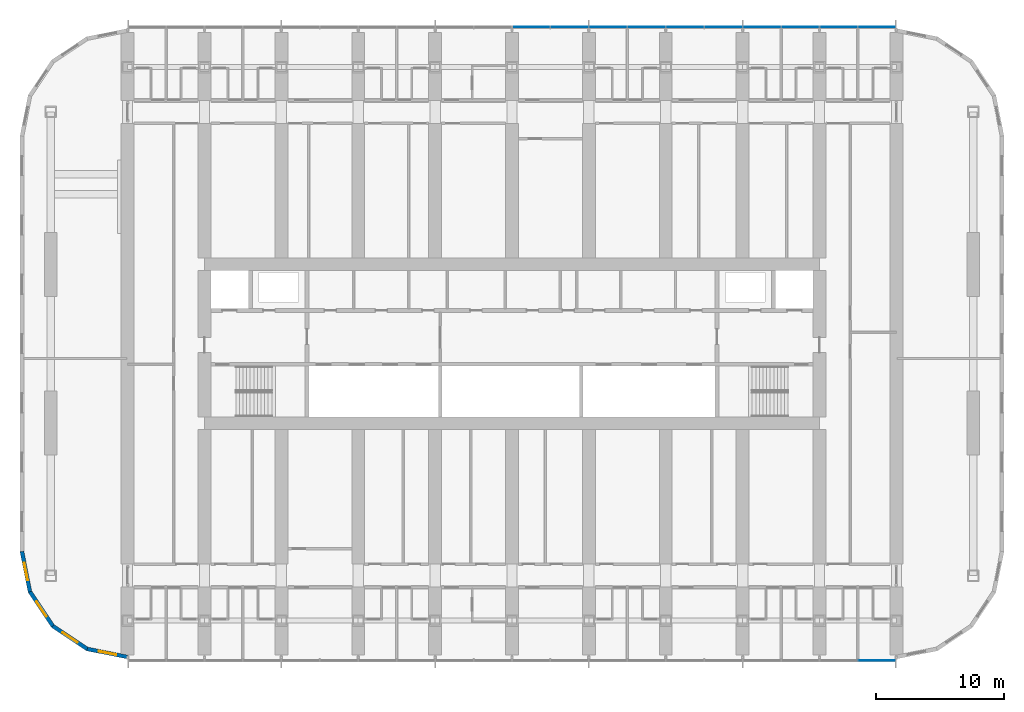
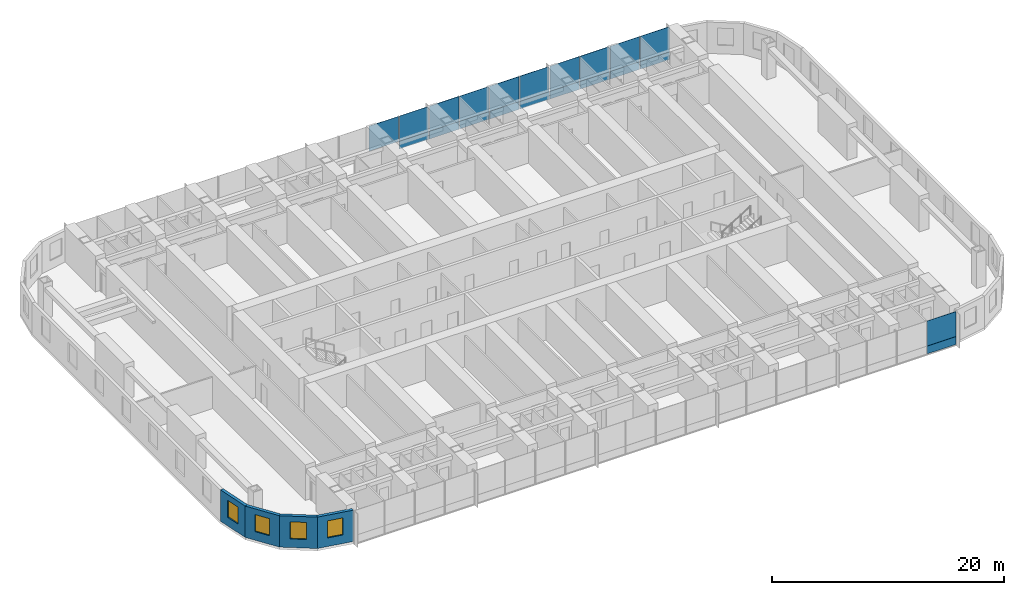
# One storey, part 9 of 24: 21 plates, 4 walls, 4 windows, 4 openings, 2 elements without a shape of their own.
"""IFC4 building model written with IfcOpenShell, lengths in metres."""

from ifc_helpers import new_model, si_unit, direction, frame, frame_2d, origin, origin_2d, place, context, subcontext, project, spatial, polyline, rectangle, outline, extrude, material, layer, layer_set, type_object, element, fill, aggregate, save


model = new_model("IFC4")

# Units and contexts
model_context = context("Model", 3, precision=1e-05, world=origin(), true_north=direction((0.0, 1.0)))
body_context = subcontext(model_context, "Body", "Model", "MODEL_VIEW")
ifc_project = project(units=[si_unit("LENGTHUNIT", "METRE"), si_unit("AREAUNIT", "SQUARE_METRE"), si_unit("VOLUMEUNIT", "CUBIC_METRE"), si_unit("PLANEANGLEUNIT", "RADIAN"), si_unit("MASSUNIT", "GRAM", prefix="KILO")], contexts=[model_context])

# Site, building, storey
site_placement = place(None, origin())
site = spatial("IfcSite", under=ifc_project, at=site_placement, CompositionType="ELEMENT")
building_placement = place(site_placement, origin())
building = spatial("IfcBuilding", under=site, at=building_placement, Name="Orbita Commons", CompositionType="ELEMENT")
storey_placement = place(building_placement, frame((0.0, 0.0, 20.199951171875)))
storey = spatial("IfcBuildingStorey", under=building, at=storey_placement, Name="L04", CompositionType="ELEMENT", Elevation=20.199951171875)

# Curtain wall, plate
ifc_material_1 = material(Name="Anodised aluminium frame, pale silver", Category="aluminium")
curtain_wall_type = type_object("IfcCurtainWallType", Name="Unitised curtain wall CW-T, vision and spandrel", PredefinedType="NOTDEFINED", material=ifc_material_1)
curtain_wall_1_placement = place(storey_placement, origin())
curtain_wall_1 = element("IfcCurtainWall", 1, at=curtain_wall_1_placement, inside=storey, type_object=curtain_wall_type, Name="Curtain wall south L04", PredefinedType="NOTDEFINED")
ifc_material_2 = material(Name="Anodised aluminium sheet on mineral wool", Category="aluminium")
ifc_layer_1 = layer(ifc_material_2, 0.050048828125)
ifc_layer_set_1 = layer_set([ifc_layer_1], Name="Anodised aluminium sheet on mineral wool")
plate_type_1 = type_object("IfcPlateType", Name="Spandrel panel, pale aluminium over insulation 50", PredefinedType="CURTAIN_PANEL", material=ifc_layer_set_1)
plate_1_placement = place(storey_placement, frame((70.47998046875, 7.2900390625, -0.14990234375), z_axis=(0.0, 0.0, 1.0), x_axis=(1.0, 0.0, 0.0)))
plate_1 = element("IfcPlate", 2, at=plate_1_placement, type_object=plate_type_1, Name="Panel 20.1 CW-L04-S", PredefinedType="CURTAIN_PANEL", context=body_context, shape_type="SweptSolid", body=[
    extrude(rectangle(XDim=2.8798828125, YDim=0.050048828125, at=origin_2d()), origin(), (0.0, 0.0, 1.0), 0.822998046875),
])

# Curtain wall, plates
curtain_wall_2_placement = place(storey_placement, origin())
curtain_wall_2 = element("IfcCurtainWall", 3, at=curtain_wall_2_placement, inside=storey, type_object=curtain_wall_type, Name="Curtain wall north L04", PredefinedType="NOTDEFINED")
plate_2_placement = place(storey_placement, frame((70.47998046875, 56.7099609375, -0.14990234375), z_axis=(0.0, 0.0, 1.0), x_axis=(-1.0, 0.0, 0.0)))
plate_2 = element("IfcPlate", 4, at=plate_2_placement, type_object=plate_type_1, Name="Panel 1.1 CW-L04-N", PredefinedType="CURTAIN_PANEL", context=body_context, shape_type="SweptSolid", body=[
    extrude(rectangle(XDim=2.8798828125, YDim=0.050048828125, at=origin_2d()), origin(), (0.0, 0.0, 1.0), 0.822998046875),
])
plate_3_placement = place(storey_placement, frame((67.5, 56.7099609375, -0.14990234375), z_axis=(0.0, 0.0, 1.0), x_axis=(-1.0, 0.0, 0.0)))
plate_3 = element("IfcPlate", 5, at=plate_3_placement, type_object=plate_type_1, Name="Panel 2.1 CW-L04-N", PredefinedType="CURTAIN_PANEL", context=body_context, shape_type="SweptSolid", body=[
    extrude(rectangle(XDim=2.919921875, YDim=0.050048828125, at=origin_2d()), origin(), (0.0, 0.0, 1.0), 0.822998046875),
])
plate_4_placement = place(storey_placement, frame((64.5, 56.7099609375, -0.14990234375), z_axis=(0.0, 0.0, 1.0), x_axis=(-1.0, 0.0, 0.0)))
plate_4 = element("IfcPlate", 6, at=plate_4_placement, type_object=plate_type_1, Name="Panel 3.1 CW-L04-N", PredefinedType="CURTAIN_PANEL", context=body_context, shape_type="SweptSolid", body=[
    extrude(rectangle(XDim=2.919921875, YDim=0.050048828125, at=origin_2d()), origin(), (0.0, 0.0, 1.0), 0.822998046875),
])
plate_5_placement = place(storey_placement, frame((61.5, 56.7099609375, -0.14990234375), z_axis=(0.0, 0.0, 1.0), x_axis=(-1.0, 0.0, 0.0)))
plate_5 = element("IfcPlate", 7, at=plate_5_placement, type_object=plate_type_1, Name="Panel 4.1 CW-L04-N", PredefinedType="CURTAIN_PANEL", context=body_context, shape_type="SweptSolid", body=[
    extrude(rectangle(XDim=2.919921875, YDim=0.050048828125, at=origin_2d()), origin(), (0.0, 0.0, 1.0), 0.822998046875),
])
plate_6_placement = place(storey_placement, frame((58.5, 56.7099609375, -0.14990234375), z_axis=(0.0, 0.0, 1.0), x_axis=(-1.0, 0.0, 0.0)))
plate_6 = element("IfcPlate", 8, at=plate_6_placement, type_object=plate_type_1, Name="Panel 5.1 CW-L04-N", PredefinedType="CURTAIN_PANEL", context=body_context, shape_type="SweptSolid", body=[
    extrude(rectangle(XDim=2.919921875, YDim=0.050048828125, at=origin_2d()), origin(), (0.0, 0.0, 1.0), 0.822998046875),
])
plate_7_placement = place(storey_placement, frame((55.5, 56.7099609375, -0.14990234375), z_axis=(0.0, 0.0, 1.0), x_axis=(-1.0, 0.0, 0.0)))
plate_7 = element("IfcPlate", 9, at=plate_7_placement, type_object=plate_type_1, Name="Panel 6.1 CW-L04-N", PredefinedType="CURTAIN_PANEL", context=body_context, shape_type="SweptSolid", body=[
    extrude(rectangle(XDim=2.919921875, YDim=0.050048828125, at=origin_2d()), origin(), (0.0, 0.0, 1.0), 0.822998046875),
])
plate_8_placement = place(storey_placement, frame((52.5, 56.7099609375, -0.14990234375), z_axis=(0.0, 0.0, 1.0), x_axis=(-1.0, 0.0, 0.0)))
plate_8 = element("IfcPlate", 10, at=plate_8_placement, type_object=plate_type_1, Name="Panel 7.1 CW-L04-N", PredefinedType="CURTAIN_PANEL", context=body_context, shape_type="SweptSolid", body=[
    extrude(rectangle(XDim=2.919921875, YDim=0.050048828125, at=origin_2d()), origin(), (0.0, 0.0, 1.0), 0.822998046875),
])
plate_9_placement = place(storey_placement, frame((49.5, 56.7099609375, -0.14990234375), z_axis=(0.0, 0.0, 1.0), x_axis=(-1.0, 0.0, 0.0)))
plate_9 = element("IfcPlate", 11, at=plate_9_placement, type_object=plate_type_1, Name="Panel 8.1 CW-L04-N", PredefinedType="CURTAIN_PANEL", context=body_context, shape_type="SweptSolid", body=[
    extrude(rectangle(XDim=2.919921875, YDim=0.050048828125, at=origin_2d()), origin(), (0.0, 0.0, 1.0), 0.822998046875),
])
plate_10_placement = place(storey_placement, frame((46.5, 56.7099609375, -0.14990234375), z_axis=(0.0, 0.0, 1.0), x_axis=(-1.0, 0.0, 0.0)))
plate_10 = element("IfcPlate", 12, at=plate_10_placement, type_object=plate_type_1, Name="Panel 9.1 CW-L04-N", PredefinedType="CURTAIN_PANEL", context=body_context, shape_type="SweptSolid", body=[
    extrude(rectangle(XDim=2.919921875, YDim=0.050048828125, at=origin_2d()), origin(), (0.0, 0.0, 1.0), 0.822998046875),
])

# Plate
ifc_material_3 = material(Name="Clear double glazing", Category="glass")
ifc_layer_2 = layer(ifc_material_3, 0.031982421875)
ifc_layer_set_2 = layer_set([ifc_layer_2], Name="Clear double glazing")
plate_type_2 = type_object("IfcPlateType", Name="Vision panel, clear double glazing 32", PredefinedType="CURTAIN_PANEL", material=ifc_layer_set_2)
plate_11_placement = place(storey_placement, frame((70.47998046875, 7.2900390625, 0.673095703125), z_axis=(0.0, 0.0, 1.0), x_axis=(1.0, 0.0, 0.0)))
plate_11 = element("IfcPlate", 13, at=plate_11_placement, type_object=plate_type_2, Name="Panel 20.2 CW-L04-S", PredefinedType="CURTAIN_PANEL", context=body_context, shape_type="SweptSolid", body=[
    extrude(rectangle(XDim=2.8798828125, YDim=0.031982421875, at=origin_2d()), origin(), (0.0, 0.0, 1.0), 2.626953125),
])

aggregate(curtain_wall_1, [plate_1, plate_11])

plate_12_placement = place(storey_placement, frame((70.47998046875, 56.7099609375, 0.673095703125), z_axis=(0.0, 0.0, 1.0), x_axis=(-1.0, 0.0, 0.0)))
plate_12 = element("IfcPlate", 14, at=plate_12_placement, type_object=plate_type_2, Name="Panel 1.2 CW-L04-N", PredefinedType="CURTAIN_PANEL", context=body_context, shape_type="SweptSolid", body=[
    extrude(rectangle(XDim=2.8798828125, YDim=0.031982421875, at=origin_2d()), origin(), (0.0, 0.0, 1.0), 2.626953125),
])

plate_13_placement = place(storey_placement, frame((67.5, 56.7099609375, 0.673095703125), z_axis=(0.0, 0.0, 1.0), x_axis=(-1.0, 0.0, 0.0)))
plate_13 = element("IfcPlate", 15, at=plate_13_placement, type_object=plate_type_2, Name="Panel 2.2 CW-L04-N", PredefinedType="CURTAIN_PANEL", context=body_context, shape_type="SweptSolid", body=[
    extrude(rectangle(XDim=2.919921875, YDim=0.031982421875, at=origin_2d()), origin(), (0.0, 0.0, 1.0), 2.626953125),
])

plate_14_placement = place(storey_placement, frame((64.5, 56.7099609375, 0.673095703125), z_axis=(0.0, 0.0, 1.0), x_axis=(-1.0, 0.0, 0.0)))
plate_14 = element("IfcPlate", 16, at=plate_14_placement, type_object=plate_type_2, Name="Panel 3.2 CW-L04-N", PredefinedType="CURTAIN_PANEL", context=body_context, shape_type="SweptSolid", body=[
    extrude(rectangle(XDim=2.919921875, YDim=0.031982421875, at=origin_2d()), origin(), (0.0, 0.0, 1.0), 2.626953125),
])

plate_15_placement = place(storey_placement, frame((61.5, 56.7099609375, 0.673095703125), z_axis=(0.0, 0.0, 1.0), x_axis=(-1.0, 0.0, 0.0)))
plate_15 = element("IfcPlate", 17, at=plate_15_placement, type_object=plate_type_2, Name="Panel 4.2 CW-L04-N", PredefinedType="CURTAIN_PANEL", context=body_context, shape_type="SweptSolid", body=[
    extrude(rectangle(XDim=2.919921875, YDim=0.031982421875, at=origin_2d()), origin(), (0.0, 0.0, 1.0), 2.626953125),
])

plate_16_placement = place(storey_placement, frame((58.5, 56.7099609375, 0.673095703125), z_axis=(0.0, 0.0, 1.0), x_axis=(-1.0, 0.0, 0.0)))
plate_16 = element("IfcPlate", 18, at=plate_16_placement, type_object=plate_type_2, Name="Panel 5.2 CW-L04-N", PredefinedType="CURTAIN_PANEL", context=body_context, shape_type="SweptSolid", body=[
    extrude(rectangle(XDim=2.919921875, YDim=0.031982421875, at=origin_2d()), origin(), (0.0, 0.0, 1.0), 2.626953125),
])

plate_17_placement = place(storey_placement, frame((55.5, 56.7099609375, 0.673095703125), z_axis=(0.0, 0.0, 1.0), x_axis=(-1.0, 0.0, 0.0)))
plate_17 = element("IfcPlate", 19, at=plate_17_placement, type_object=plate_type_2, Name="Panel 6.2 CW-L04-N", PredefinedType="CURTAIN_PANEL", context=body_context, shape_type="SweptSolid", body=[
    extrude(rectangle(XDim=2.919921875, YDim=0.031982421875, at=origin_2d()), origin(), (0.0, 0.0, 1.0), 2.626953125),
])

plate_18_placement = place(storey_placement, frame((52.5, 56.7099609375, 0.673095703125), z_axis=(0.0, 0.0, 1.0), x_axis=(-1.0, 0.0, 0.0)))
plate_18 = element("IfcPlate", 20, at=plate_18_placement, type_object=plate_type_2, Name="Panel 7.2 CW-L04-N", PredefinedType="CURTAIN_PANEL", context=body_context, shape_type="SweptSolid", body=[
    extrude(rectangle(XDim=2.919921875, YDim=0.031982421875, at=origin_2d()), origin(), (0.0, 0.0, 1.0), 2.626953125),
])

plate_19_placement = place(storey_placement, frame((49.5, 56.7099609375, 0.673095703125), z_axis=(0.0, 0.0, 1.0), x_axis=(-1.0, 0.0, 0.0)))
plate_19 = element("IfcPlate", 21, at=plate_19_placement, type_object=plate_type_2, Name="Panel 8.2 CW-L04-N", PredefinedType="CURTAIN_PANEL", context=body_context, shape_type="SweptSolid", body=[
    extrude(rectangle(XDim=2.919921875, YDim=0.031982421875, at=origin_2d()), origin(), (0.0, 0.0, 1.0), 2.626953125),
])

plate_20_placement = place(storey_placement, frame((46.5, 56.7099609375, 0.673095703125), z_axis=(0.0, 0.0, 1.0), x_axis=(-1.0, 0.0, 0.0)))
plate_20 = element("IfcPlate", 22, at=plate_20_placement, type_object=plate_type_2, Name="Panel 9.2 CW-L04-N", PredefinedType="CURTAIN_PANEL", context=body_context, shape_type="SweptSolid", body=[
    extrude(rectangle(XDim=2.919921875, YDim=0.031982421875, at=origin_2d()), origin(), (0.0, 0.0, 1.0), 2.626953125),
])

plate_21_placement = place(storey_placement, frame((43.5, 56.7099609375, 0.673095703125), z_axis=(0.0, 0.0, 1.0), x_axis=(-1.0, 0.0, 0.0)))
plate_21 = element("IfcPlate", 23, at=plate_21_placement, type_object=plate_type_2, Name="Panel 10.2 CW-L04-N", PredefinedType="CURTAIN_PANEL", context=body_context, shape_type="SweptSolid", body=[
    extrude(rectangle(XDim=2.919921875, YDim=0.031982421875, at=origin_2d()), origin(), (0.0, 0.0, 1.0), 2.626953125),
])

aggregate(curtain_wall_2, [plate_2, plate_12, plate_3, plate_13, plate_4, plate_14, plate_5, plate_15, plate_6, plate_16, plate_7, plate_17, plate_8, plate_18, plate_9, plate_19, plate_10, plate_20, plate_21])

# Wall, opening, window
ifc_material_4 = material(Name="Precast concrete C40/50, white board-marked finish", Category="concrete")
ifc_layer_3 = layer(ifc_material_4, 0.300048828125)
ifc_layer_set_3 = layer_set([ifc_layer_3], Name="Precast concrete C40/50, white board-marked finish")
wall_type = type_object("IfcWallType", Name="Precast concrete end shield 300", PredefinedType="SOLIDWALL", material=ifc_layer_set_3)
wall_1_placement = place(storey_placement, frame((3.75, 15.800048828125, 0.0), z_axis=(0.0, 0.0, 1.0), x_axis=(0.195065901187, -0.980790137692, 0.0)))
wall_1 = element("IfcWall", 24, at=wall_1_placement, inside=storey, type_object=wall_type, Name="End shield SW chord 1 L04", PredefinedType="SOLIDWALL", context=body_context, shape_type="SweptSolid", body=[
    extrude(outline(polyline([(-0.014892578125, -0.14990234375), (3.248779296875, -0.14990234375), (3.189208984375, 0.14990234375), (0.014892578125, 0.14990234375), (-0.014892578125, -0.14990234375)])), origin(), (0.0, 0.0, 1.0), 3.300048828125),
])
opening_1_placement = place(wall_1_placement, frame((0.909423828125, 0.0, 0.89990234375)))
opening_1 = element("IfcOpeningElement", 25, at=opening_1_placement, cuts=wall_1, Name="Opening W02", PredefinedType="OPENING", context=body_context, shape_type="SweptSolid", body=[
    extrude(rectangle(XDim=1.39990234375, YDim=1.800048828125, at=frame_2d((0.699951171875, 0.89990234375))), frame((0.0, 0.159912109375, 0.0), z_axis=(0.0, -1.0, 0.0), x_axis=(1.0, 0.0, 0.0)), (0.0, 0.0, 1.0), 0.320068359375),
])
ifc_material_5 = material(Name="Aluminium frame, clear double glazing", Category="aluminium")
window_type = type_object("IfcWindowType", Name="Deep-set window 1400x1800", PartitioningType="SINGLE_PANEL", PredefinedType="WINDOW", material=ifc_material_5)
window_1_placement = place(opening_1_placement, origin())
window_1 = element("IfcWindow", 26, at=window_1_placement, inside=storey, type_object=window_type, Name="Window L04-SW0", OverallHeight=1.800048828125, OverallWidth=1.39990234375, PartitioningType="SINGLE_PANEL", PredefinedType="WINDOW", context=body_context, shape_type="SweptSolid", body=[
    extrude(rectangle(XDim=1.39990234375, YDim=1.800048828125, at=frame_2d((0.699951171875, 0.89990234375))), frame((0.0, 0.030029296875, 0.0), z_axis=(0.0, -1.0, 0.0), x_axis=(1.0, 0.0, 0.0)), (0.0, 0.0, 1.0), 0.06005859375),
])
fill(opening_1, window_1)

wall_2_placement = place(storey_placement, frame((4.3779296875, 12.642822265625, 0.0), z_axis=(0.0, 0.0, 1.0), x_axis=(0.555609954424, -0.831443069936, 0.0)))
wall_2 = element("IfcWall", 27, at=wall_2_placement, inside=storey, type_object=wall_type, Name="End shield SW chord 2 L04", PredefinedType="SOLIDWALL", context=body_context, shape_type="SweptSolid", body=[
    extrude(outline(polyline([(-0.02978515625, -0.14990234375), (3.2490234375, -0.14990234375), (3.189453125, 0.14990234375), (0.02978515625, 0.14990234375), (-0.02978515625, -0.14990234375)])), origin(), (0.0, 0.0, 1.0), 3.300048828125),
])
opening_2_placement = place(wall_2_placement, frame((0.909423828125, 0.0, 0.89990234375)))
opening_2 = element("IfcOpeningElement", 28, at=opening_2_placement, cuts=wall_2, Name="Opening W02", PredefinedType="OPENING", context=body_context, shape_type="SweptSolid", body=[
    extrude(rectangle(XDim=1.39990234375, YDim=1.800048828125, at=frame_2d((0.699951171875, 0.89990234375))), frame((0.0, 0.159912109375, 0.0), z_axis=(0.0, -1.0, 0.0), x_axis=(1.0, 0.0, 0.0)), (0.0, 0.0, 1.0), 0.320068359375),
])
window_2_placement = place(opening_2_placement, origin())
window_2 = element("IfcWindow", 29, at=window_2_placement, inside=storey, type_object=window_type, Name="Window L04-SW1", OverallHeight=1.800048828125, OverallWidth=1.39990234375, PartitioningType="SINGLE_PANEL", PredefinedType="WINDOW", context=body_context, shape_type="SweptSolid", body=[
    extrude(rectangle(XDim=1.39990234375, YDim=1.800048828125, at=frame_2d((0.699951171875, 0.89990234375))), frame((0.0, 0.030029296875, 0.0), z_axis=(0.0, -1.0, 0.0), x_axis=(1.0, 0.0, 0.0)), (0.0, 0.0, 1.0), 0.06005859375),
])
fill(opening_2, window_2)

wall_3_placement = place(storey_placement, frame((6.16650390625, 9.96630859375, 0.0), z_axis=(0.0, 0.0, 1.0), x_axis=(0.831478105043, -0.555557522525, 0.0)))
wall_3 = element("IfcWall", 30, at=wall_3_placement, inside=storey, type_object=wall_type, Name="End shield SW chord 3 L04", PredefinedType="SOLIDWALL", context=body_context, shape_type="SweptSolid", body=[
    extrude(outline(polyline([(-0.02978515625, -0.14990234375), (3.248779296875, -0.14990234375), (3.189208984375, 0.14990234375), (0.02978515625, 0.14990234375), (-0.02978515625, -0.14990234375)])), origin(), (0.0, 0.0, 1.0), 3.300048828125),
])
opening_3_placement = place(wall_3_placement, frame((0.909423828125, 0.0, 0.89990234375)))
opening_3 = element("IfcOpeningElement", 31, at=opening_3_placement, cuts=wall_3, Name="Opening W02", PredefinedType="OPENING", context=body_context, shape_type="SweptSolid", body=[
    extrude(rectangle(XDim=1.39990234375, YDim=1.800048828125, at=frame_2d((0.699951171875, 0.89990234375))), frame((0.0, 0.159912109375, 0.0), z_axis=(0.0, -1.0, 0.0), x_axis=(1.0, 0.0, 0.0)), (0.0, 0.0, 1.0), 0.320068359375),
])
window_3_placement = place(opening_3_placement, origin())
window_3 = element("IfcWindow", 32, at=window_3_placement, inside=storey, type_object=window_type, Name="Window L04-SW2", OverallHeight=1.800048828125, OverallWidth=1.39990234375, PartitioningType="SINGLE_PANEL", PredefinedType="WINDOW", context=body_context, shape_type="SweptSolid", body=[
    extrude(rectangle(XDim=1.39990234375, YDim=1.800048828125, at=frame_2d((0.699951171875, 0.89990234375))), frame((0.0, 0.030029296875, 0.0), z_axis=(0.0, -1.0, 0.0), x_axis=(1.0, 0.0, 0.0)), (0.0, 0.0, 1.0), 0.06005859375),
])
fill(opening_3, window_3)

wall_4_placement = place(storey_placement, frame((8.843017578125, 8.177978515625, 0.0), z_axis=(0.0, 0.0, 1.0), x_axis=(0.980787251524, -0.195080412259, 0.0)))
wall_4 = element("IfcWall", 33, at=wall_4_placement, inside=storey, type_object=wall_type, Name="End shield SW chord 4 L04", PredefinedType="SOLIDWALL", context=body_context, shape_type="SweptSolid", body=[
    extrude(outline(polyline([(-0.02978515625, -0.14990234375), (3.24853515625, -0.14990234375), (3.18896484375, 0.14990234375), (0.02978515625, 0.14990234375), (-0.02978515625, -0.14990234375)])), origin(), (0.0, 0.0, 1.0), 3.300048828125),
])
opening_4_placement = place(wall_4_placement, frame((0.909423828125, 0.0, 0.89990234375)))
opening_4 = element("IfcOpeningElement", 34, at=opening_4_placement, cuts=wall_4, Name="Opening W02", PredefinedType="OPENING", context=body_context, shape_type="SweptSolid", body=[
    extrude(rectangle(XDim=1.39990234375, YDim=1.800048828125, at=frame_2d((0.699951171875, 0.89990234375))), frame((0.0, 0.159912109375, 0.0), z_axis=(0.0, -1.0, 0.0), x_axis=(1.0, 0.0, 0.0)), (0.0, 0.0, 1.0), 0.320068359375),
])
window_4_placement = place(opening_4_placement, origin())
window_4 = element("IfcWindow", 35, at=window_4_placement, inside=storey, type_object=window_type, Name="Window L04-SW3", OverallHeight=1.800048828125, OverallWidth=1.39990234375, PartitioningType="SINGLE_PANEL", PredefinedType="WINDOW", context=body_context, shape_type="SweptSolid", body=[
    extrude(rectangle(XDim=1.39990234375, YDim=1.800048828125, at=frame_2d((0.699951171875, 0.89990234375))), frame((0.0, 0.030029296875, 0.0), z_axis=(0.0, -1.0, 0.0), x_axis=(1.0, 0.0, 0.0)), (0.0, 0.0, 1.0), 0.06005859375),
])
fill(opening_4, window_4)

save(model, "model.ifc")
